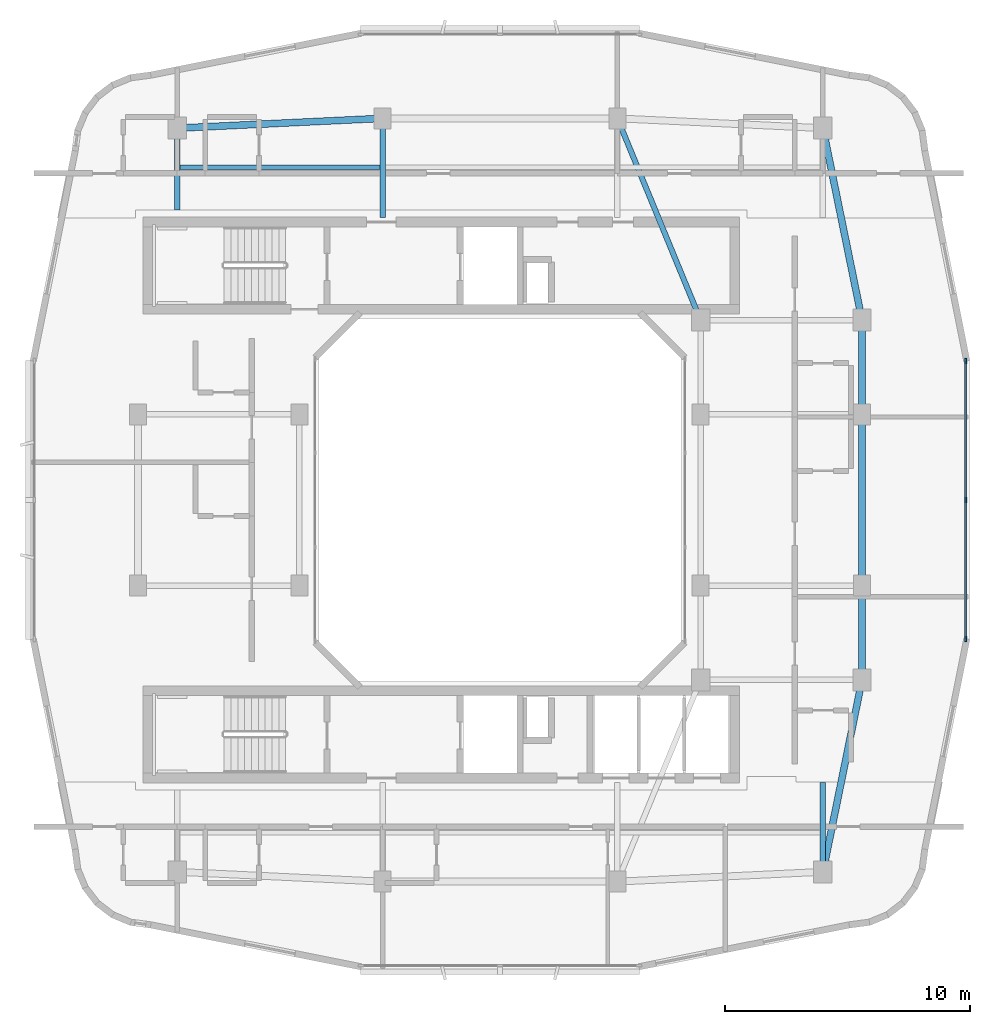
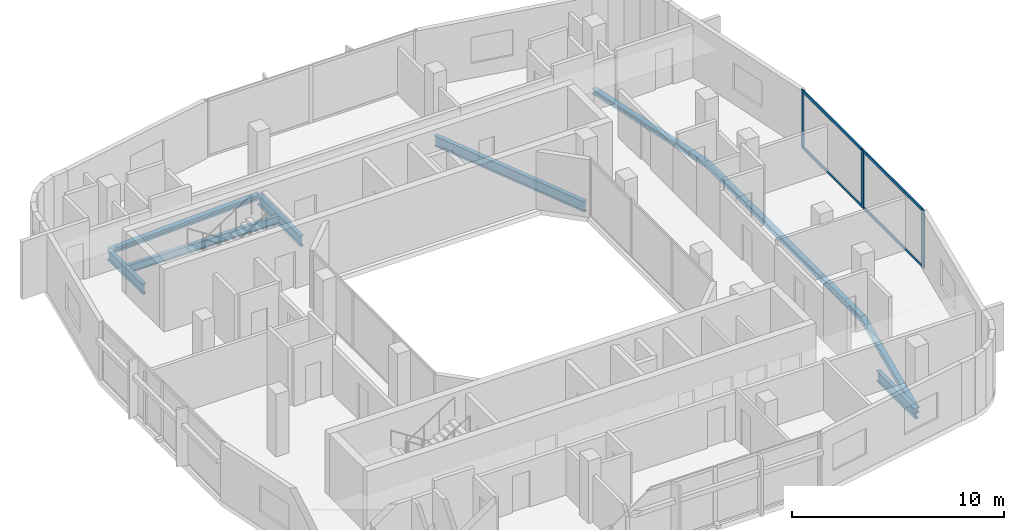
# One storey, part 4 of 14: 11 beams, 7 members, 1 element without a shape of its own.
"""IFC4 building model written with IfcOpenShell, lengths in metres."""

from ifc_helpers import new_model, si_unit, derived_unit, direction, frame, origin, origin_2d, place, context, subcontext, project, spatial, rectangle, i_section, extrude, material, layer, layer_set, material_profile, profile_set, type_object, element, aggregate, save


model = new_model("IFC4")

# Units and contexts
model_context = context("Model", 3, precision=1e-05, world=origin(), true_north=direction((0.0, 1.0)))
body_context = subcontext(model_context, "Body", "Model", "MODEL_VIEW")
ifc_project = project(units=[si_unit("LENGTHUNIT", "METRE"), si_unit("AREAUNIT", "SQUARE_METRE"), si_unit("VOLUMEUNIT", "CUBIC_METRE"), si_unit("PLANEANGLEUNIT", "RADIAN"), si_unit("MASSUNIT", "GRAM", prefix="KILO"), derived_unit("THERMALTRANSMITTANCEUNIT", [(si_unit("POWERUNIT", "WATT"), 1), (si_unit("LENGTHUNIT", "METRE"), -2), (si_unit("THERMODYNAMICTEMPERATUREUNIT", "KELVIN"), -1)])], contexts=[model_context])

# Site, building, storey
site_placement = place(None, origin())
site = spatial("IfcSite", under=ifc_project, at=site_placement, CompositionType="ELEMENT")
building_placement = place(site_placement, origin())
building = spatial("IfcBuilding", under=site, at=building_placement, Name="Kivonza Crest Hotel", CompositionType="ELEMENT")
storey_placement = place(building_placement, frame((0.0, 0.0, 206.300048828125)))
storey = spatial("IfcBuildingStorey", under=building, at=storey_placement, Name="L56", CompositionType="ELEMENT", Elevation=206.300048828125)

# Beams
ifc_material_1 = material(Name="Steel S355", Category="steel")
ifc_material_profile_1 = material_profile(ifc_material_1, i_section(OverallWidth=0.280029296875, OverallDepth=0.280029296875, WebThickness=0.010498046875, FlangeThickness=0.01806640625, FilletRadius=0.02392578125, at=origin_2d()), Name="HEB 280")
ifc_profile_set_1 = profile_set([ifc_material_profile_1], Name="Steel S355")
beam_type_1 = type_object("IfcBeamType", Name="BM-HEB280", PredefinedType="SPANDREL", material=ifc_profile_set_1)
beam_1_placement = place(storey_placement, frame((34.199951171875, 9.800048828125, -0.420166015625), z_axis=(0.199730733965, 0.979850822273, 0.0), x_axis=(-0.979850822273, 0.199730733965, 0.0)))
element("IfcBeam", 1, at=beam_1_placement, inside=storey, type_object=beam_type_1, Name="Tower T1 L56 perimeter spandrel SE-PSE", PredefinedType="SPANDREL", context=body_context, shape_type="SweptSolid", body=[
    extrude(i_section(OverallWidth=0.280029296875, OverallDepth=0.280029296875, WebThickness=0.010498046875, FlangeThickness=0.01806640625, FilletRadius=0.02392578125, at=origin_2d()), origin(), (0.0, 0.0, 1.0), 8.01123046875),
])
beam_2_placement = place(storey_placement, frame((35.800048828125, 17.64990234375, -0.420166015625), z_axis=(0.0, 1.0, 0.0), x_axis=(-1.0, 0.0, 0.0)))
element("IfcBeam", 2, at=beam_2_placement, inside=storey, type_object=beam_type_1, Name="Tower T1 L56 perimeter spandrel PSE-E1", PredefinedType="SPANDREL", context=body_context, shape_type="SweptSolid", body=[
    extrude(i_section(OverallWidth=0.280029296875, OverallDepth=0.280029296875, WebThickness=0.010498046875, FlangeThickness=0.01806640625, FilletRadius=0.02392578125, at=origin_2d()), origin(), (0.0, 0.0, 1.0), 3.85009765625),
])
beam_3_placement = place(storey_placement, frame((35.800048828125, 21.5, -0.420166015625), z_axis=(0.0, 1.0, 0.0), x_axis=(-1.0, 0.0, 0.0)))
element("IfcBeam", 3, at=beam_3_placement, inside=storey, type_object=beam_type_1, Name="Tower T1 L56 perimeter spandrel E1-E2", PredefinedType="SPANDREL", context=body_context, shape_type="SweptSolid", body=[
    extrude(i_section(OverallWidth=0.280029296875, OverallDepth=0.280029296875, WebThickness=0.010498046875, FlangeThickness=0.01806640625, FilletRadius=0.02392578125, at=origin_2d()), origin(), (0.0, 0.0, 1.0), 7.0),
])
beam_4_placement = place(storey_placement, frame((35.800048828125, 28.5, -0.420166015625), z_axis=(0.0, 1.0, 0.0), x_axis=(-1.0, 0.0, 0.0)))
element("IfcBeam", 4, at=beam_4_placement, inside=storey, type_object=beam_type_1, Name="Tower T1 L56 perimeter spandrel E2-PNE", PredefinedType="SPANDREL", context=body_context, shape_type="SweptSolid", body=[
    extrude(i_section(OverallWidth=0.280029296875, OverallDepth=0.280029296875, WebThickness=0.010498046875, FlangeThickness=0.01806640625, FilletRadius=0.02392578125, at=origin_2d()), origin(), (0.0, 0.0, 1.0), 3.85009765625),
])
beam_5_placement = place(storey_placement, frame((35.800048828125, 32.35009765625, -0.420166015625), z_axis=(-0.199730733965, 0.979850822273, 0.0), x_axis=(-0.979850822273, -0.199730733965, 0.0)))
element("IfcBeam", 5, at=beam_5_placement, inside=storey, type_object=beam_type_1, Name="Tower T1 L56 perimeter spandrel PNE-NE", PredefinedType="SPANDREL", context=body_context, shape_type="SweptSolid", body=[
    extrude(i_section(OverallWidth=0.280029296875, OverallDepth=0.280029296875, WebThickness=0.010498046875, FlangeThickness=0.01806640625, FilletRadius=0.02392578125, at=origin_2d()), origin(), (0.0, 0.0, 1.0), 8.01123046875),
])
beam_6_placement = place(storey_placement, frame((16.199951171875, 40.60009765625, -0.420166015625), z_axis=(-0.998867283688, -0.047583080799, 0.0), x_axis=(0.047583080799, -0.998867283688, 0.0)))
element("IfcBeam", 6, at=beam_6_placement, inside=storey, type_object=beam_type_1, Name="Tower T1 L56 perimeter spandrel N1-NW", PredefinedType="SPANDREL", context=body_context, shape_type="SweptSolid", body=[
    extrude(i_section(OverallWidth=0.280029296875, OverallDepth=0.280029296875, WebThickness=0.010498046875, FlangeThickness=0.01806640625, FilletRadius=0.02392578125, at=origin_2d()), origin(), (0.0, 0.0, 1.0), 8.409423828125),
])
ifc_material_profile_2 = material_profile(ifc_material_1, i_section(OverallWidth=0.18994140625, OverallDepth=0.449951171875, WebThickness=0.009521484375, FlangeThickness=0.0146484375, FilletRadius=0.02099609375, at=origin_2d()), Name="IPE 450")
ifc_profile_set_2 = profile_set([ifc_material_profile_2], Name="Steel S355")
beam_type_2 = type_object("IfcBeamType", Name="BM-IPE450", PredefinedType="JOIST", material=ifc_profile_set_2)
beam_7_placement = place(storey_placement, frame((7.8798828125, 38.60009765625, -0.505126953125), z_axis=(1.0, 0.0, 0.0), x_axis=(0.0, 1.0, 0.0)))
element("IfcBeam", 7, at=beam_7_placement, inside=storey, type_object=beam_type_2, Name="Tower T1 L56 North-West floor joist", PredefinedType="JOIST", context=body_context, shape_type="SweptSolid", body=[
    extrude(i_section(OverallWidth=0.18994140625, OverallDepth=0.449951171875, WebThickness=0.009521484375, FlangeThickness=0.0146484375, FilletRadius=0.02099609375, at=origin_2d()), origin(), (0.0, 0.0, 1.0), 8.240234375),
])
ifc_material_profile_3 = material_profile(ifc_material_1, i_section(OverallWidth=0.219970703125, OverallDepth=0.60009765625, WebThickness=0.011962890625, FlangeThickness=0.01904296875, FilletRadius=0.02392578125, at=origin_2d()), Name="IPE 600")
ifc_profile_set_3 = profile_set([ifc_material_profile_3], Name="Steel S355")
beam_type_3 = type_object("IfcBeamType", Name="BM-IPE600", PredefinedType="BEAM", material=ifc_profile_set_3)
beam_8_placement = place(storey_placement, frame((25.800048828125, 40.60009765625, -0.580078125), z_axis=(0.381022260404, -0.924565864109, 0.0), x_axis=(0.924565864109, 0.381022260404, 0.0)))
element("IfcBeam", 8, at=beam_8_placement, inside=storey, type_object=beam_type_3, Name="Tower T1 L56 primary girder N1-TNE", PredefinedType="BEAM", context=body_context, shape_type="SweptSolid", body=[
    extrude(i_section(OverallWidth=0.219970703125, OverallDepth=0.60009765625, WebThickness=0.011962890625, FlangeThickness=0.01904296875, FilletRadius=0.02392578125, at=origin_2d()), origin(), (0.0, 0.0, 1.0), 8.923095703125),
])
beam_9_placement = place(storey_placement, frame((34.199951171875, 9.800048828125, -0.580078125), z_axis=(0.0, 1.0, 0.0), x_axis=(-1.0, 0.0, 0.0)))
element("IfcBeam", 9, at=beam_9_placement, inside=storey, type_object=beam_type_3, Name="Tower T1 L56 radial core girder RSE", PredefinedType="BEAM", context=body_context, shape_type="SweptSolid", body=[
    extrude(i_section(OverallWidth=0.219970703125, OverallDepth=0.60009765625, WebThickness=0.011962890625, FlangeThickness=0.01904296875, FilletRadius=0.02392578125, at=origin_2d()), origin(), (0.0, 0.0, 1.0), 3.64990234375),
])
beam_10_placement = place(storey_placement, frame((7.800048828125, 40.199951171875, -0.580078125), z_axis=(0.0, -1.0, 0.0), x_axis=(1.0, 0.0, 0.0)))
element("IfcBeam", 10, at=beam_10_placement, inside=storey, type_object=beam_type_3, Name="Tower T1 L56 radial core girder RNW", PredefinedType="BEAM", context=body_context, shape_type="SweptSolid", body=[
    extrude(i_section(OverallWidth=0.219970703125, OverallDepth=0.60009765625, WebThickness=0.011962890625, FlangeThickness=0.01904296875, FilletRadius=0.02392578125, at=origin_2d()), origin(), (0.0, 0.0, 1.0), 3.349853515625),
])
beam_11_placement = place(storey_placement, frame((16.199951171875, 40.60009765625, -0.580078125), z_axis=(0.0, -1.0, 0.0), x_axis=(1.0, 0.0, 0.0)))
element("IfcBeam", 11, at=beam_11_placement, inside=storey, type_object=beam_type_3, Name="Tower T1 L56 radial core girder RN1", PredefinedType="BEAM", context=body_context, shape_type="SweptSolid", body=[
    extrude(i_section(OverallWidth=0.219970703125, OverallDepth=0.60009765625, WebThickness=0.011962890625, FlangeThickness=0.01904296875, FilletRadius=0.02392578125, at=origin_2d()), origin(), (0.0, 0.0, 1.0), 4.050048828125),
])

# Curtain wall, members
ifc_material_2 = material(Name="Anodised bronze aluminium and low-E double glazing", Category="aluminium")
ifc_layer = layer(ifc_material_2, 0.179931640625)
ifc_layer_set = layer_set([ifc_layer], Name="Anodised bronze aluminium and low-E double glazing")
curtain_wall_type = type_object("IfcCurtainWallType", Name="CW-SYS-3", PredefinedType="NOTDEFINED", material=ifc_layer_set)
curtain_wall_placement = place(storey_placement, origin())
curtain_wall = element("IfcCurtainWall", 12, at=curtain_wall_placement, inside=storey, type_object=curtain_wall_type, Name="L56 unitised curtain wall CW-T1-L56-17", PredefinedType="NOTDEFINED")
ifc_material_3 = material(Name="Anodised bronze aluminium", Category="aluminium")
ifc_material_profile_4 = material_profile(ifc_material_3, rectangle(XDim=0.074951171875, YDim=0.219970703125, at=origin_2d()), Name="CW-M 75x220")
ifc_profile_set_4 = profile_set([ifc_material_profile_4], Name="Anodised bronze aluminium")
member_type_1 = type_object("IfcMemberType", Name="CW-MUL-75x220", PredefinedType="MULLION", material=ifc_profile_set_4)
member_1_placement = place(storey_placement, frame((40.0400390625, 19.3173828125, 0.0), z_axis=(0.0, 0.0, 1.0), x_axis=(-1.0, 0.0, 0.0)))
member_1 = element("IfcMember", 13, at=member_1_placement, type_object=member_type_1, Name="CW-3 mullion 1", PredefinedType="MULLION", context=body_context, shape_type="SweptSolid", body=[
    extrude(rectangle(XDim=0.074951171875, YDim=0.219970703125, at=origin_2d()), origin(), (0.0, 0.0, 1.0), 3.320068359375),
])
member_2_placement = place(storey_placement, frame((40.0400390625, 25.0, 0.0), z_axis=(0.0, 0.0, 1.0), x_axis=(-1.0, 0.0, 0.0)))
member_2 = element("IfcMember", 14, at=member_2_placement, type_object=member_type_1, Name="CW-3 mullion 2", PredefinedType="MULLION", context=body_context, shape_type="SweptSolid", body=[
    extrude(rectangle(XDim=0.074951171875, YDim=0.219970703125, at=origin_2d()), origin(), (0.0, 0.0, 1.0), 3.320068359375),
])
member_3_placement = place(storey_placement, frame((40.0400390625, 30.6826171875, 0.0), z_axis=(0.0, 0.0, 1.0), x_axis=(-1.0, 0.0, 0.0)))
member_3 = element("IfcMember", 15, at=member_3_placement, type_object=member_type_1, Name="CW-3 mullion 3", PredefinedType="MULLION", context=body_context, shape_type="SweptSolid", body=[
    extrude(rectangle(XDim=0.074951171875, YDim=0.219970703125, at=origin_2d()), origin(), (0.0, 0.0, 1.0), 3.320068359375),
])
ifc_material_profile_5 = material_profile(ifc_material_3, rectangle(XDim=0.074951171875, YDim=0.159912109375, at=origin_2d()), Name="CW-T 75x160")
ifc_profile_set_5 = profile_set([ifc_material_profile_5], Name="Anodised bronze aluminium")
member_type_2 = type_object("IfcMemberType", Name="CW-TRN-75x160", PredefinedType="USERDEFINED", material=ifc_profile_set_5)
member_4_placement = place(storey_placement, frame((40.0400390625, 19.35498046875, 0.037353515625), z_axis=(0.0, 1.0, 0.0), x_axis=(-1.0, 0.0, 0.0)))
member_4 = element("IfcMember", 16, at=member_4_placement, type_object=member_type_2, Name="CW-3 transom 1.1", ObjectType="TRANSOM", PredefinedType="USERDEFINED", context=body_context, shape_type="SweptSolid", body=[
    extrude(rectangle(XDim=0.074951171875, YDim=0.159912109375, at=origin_2d()), origin(), (0.0, 0.0, 1.0), 5.607421875),
])
member_5_placement = place(storey_placement, frame((40.0400390625, 19.35498046875, 3.282470703125), z_axis=(0.0, 1.0, 0.0), x_axis=(-1.0, 0.0, 0.0)))
member_5 = element("IfcMember", 17, at=member_5_placement, type_object=member_type_2, Name="CW-3 transom 1.2", ObjectType="TRANSOM", PredefinedType="USERDEFINED", context=body_context, shape_type="SweptSolid", body=[
    extrude(rectangle(XDim=0.074951171875, YDim=0.159912109375, at=origin_2d()), origin(), (0.0, 0.0, 1.0), 5.607421875),
])
member_6_placement = place(storey_placement, frame((40.0400390625, 25.03759765625, 0.037353515625), z_axis=(0.0, 1.0, 0.0), x_axis=(-1.0, 0.0, 0.0)))
member_6 = element("IfcMember", 18, at=member_6_placement, type_object=member_type_2, Name="CW-3 transom 2.1", ObjectType="TRANSOM", PredefinedType="USERDEFINED", context=body_context, shape_type="SweptSolid", body=[
    extrude(rectangle(XDim=0.074951171875, YDim=0.159912109375, at=origin_2d()), origin(), (0.0, 0.0, 1.0), 5.607421875),
])
member_7_placement = place(storey_placement, frame((40.0400390625, 25.03759765625, 3.282470703125), z_axis=(0.0, 1.0, 0.0), x_axis=(-1.0, 0.0, 0.0)))
member_7 = element("IfcMember", 19, at=member_7_placement, type_object=member_type_2, Name="CW-3 transom 2.2", ObjectType="TRANSOM", PredefinedType="USERDEFINED", context=body_context, shape_type="SweptSolid", body=[
    extrude(rectangle(XDim=0.074951171875, YDim=0.159912109375, at=origin_2d()), origin(), (0.0, 0.0, 1.0), 5.607421875),
])
aggregate(curtain_wall, [member_1, member_2, member_3, member_4, member_5, member_6, member_7])

save(model, "model.ifc")
